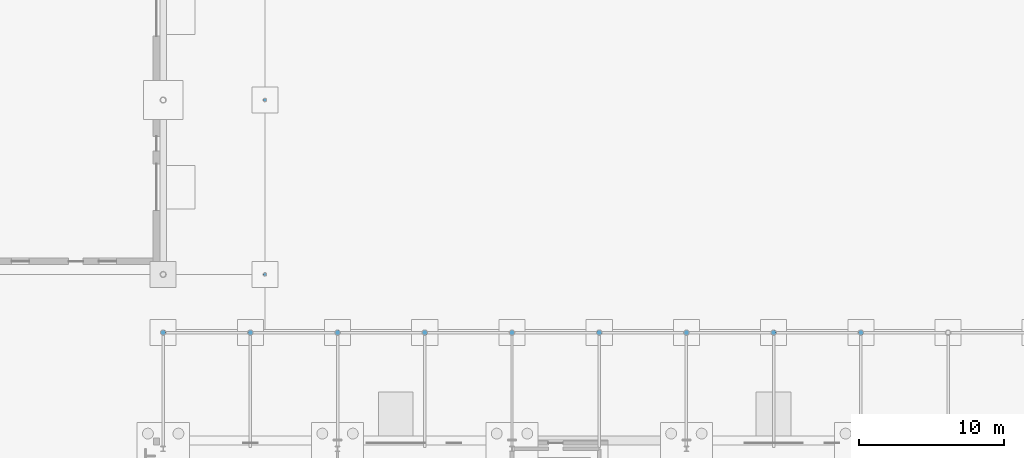
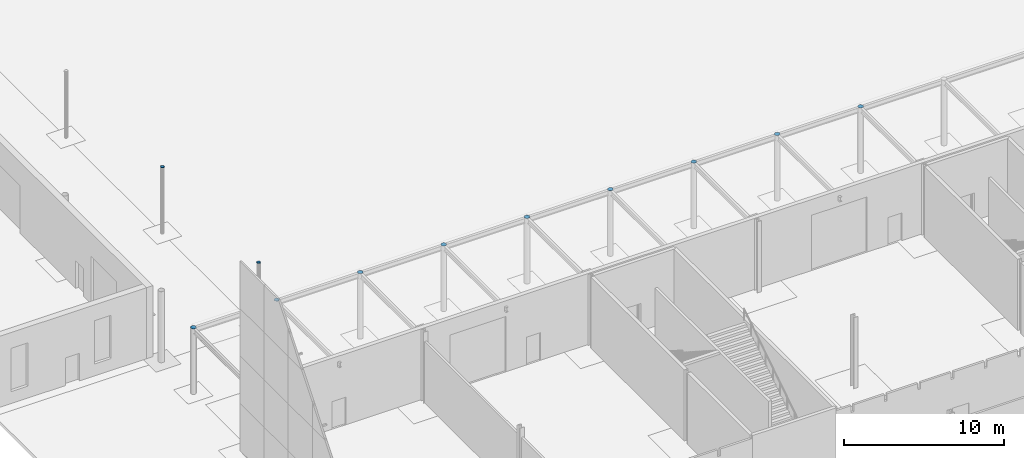
# One storey, part 103 of 132: 11 discrete accessories.
"""IFC4 building model written with IfcOpenShell, lengths in metres."""

from ifc_helpers import new_model, si_unit, direction, frame, origin, origin_2d, place, context, subcontext, project, spatial, circle, extrude, material, material_profile, profile_set, type_object, element, save


model = new_model("IFC4")

# Units and contexts
model_context = context("Model", 3, precision=1e-05, world=origin(), true_north=direction((0.0, 1.0)))
body_context = subcontext(model_context, "Body", "Model", "MODEL_VIEW")
ifc_project = project(units=[si_unit("LENGTHUNIT", "METRE"), si_unit("AREAUNIT", "SQUARE_METRE"), si_unit("VOLUMEUNIT", "CUBIC_METRE"), si_unit("PLANEANGLEUNIT", "RADIAN"), si_unit("MASSUNIT", "GRAM", prefix="KILO")], contexts=[model_context])

# Site, building, storey
site_placement = place(None, origin())
site = spatial("IfcSite", under=ifc_project, at=site_placement, CompositionType="ELEMENT")
building_placement = place(site_placement, origin())
building = spatial("IfcBuilding", under=site, at=building_placement, Name="Ravi Spectrum Wholesale Market", CompositionType="ELEMENT")
storey_placement = place(building_placement, origin())
storey = spatial("IfcBuildingStorey", under=building, at=storey_placement, Name="L00", CompositionType="ELEMENT", Elevation=0.0)

# Discrete accessories
ifc_material_1 = material(Name="Steel S355", Category="steel")
ifc_material_profile_1 = material_profile(ifc_material_1, circle(Radius=0.109619140625, at=origin_2d()))
ifc_profile_set_1 = profile_set([ifc_material_profile_1], Name="Steel S355")
discrete_accessory_type_1 = type_object("IfcDiscreteAccessoryType", Name="End plate CHS 219.1x8", PredefinedType="BRACKET", material=ifc_profile_set_1)
for number, where, z_axis, x_axis, name in (
    (1, (205.0, 78.0, 5.0400390625), (0.0, 0.0, 1.0), (1.0, 0.0, 0.0), "End plate"),
    (2, (205.0, 90.0, 5.0400390625), (0.0, 0.0, 1.0), (1.0, 0.0, 0.0), "End plate"),
):
    element("IfcDiscreteAccessory", number, at=place(storey_placement, frame(where, z_axis=z_axis, x_axis=x_axis)), inside=storey, type_object=discrete_accessory_type_1, Name=name, PredefinedType="BRACKET", context=body_context, shape_type="SweptSolid", body=[
        extrude(circle(Radius=0.109619140625, at=origin_2d()), origin(), (0.0, 0.0, 1.0), 0.011962890625),
    ])
ifc_material_2 = material(Name="Steel S355", Category="steel")
ifc_material_profile_2 = material_profile(ifc_material_2, circle(Radius=0.177734375, at=origin_2d()))
ifc_profile_set_2 = profile_set([ifc_material_profile_2], Name="Steel S355")
discrete_accessory_type_2 = type_object("IfcDiscreteAccessoryType", Name="End plate CHS 355.6x12.5", PredefinedType="BRACKET", material=ifc_profile_set_2)
for number, where, z_axis, x_axis, name in (
    (3, (198.0, 74.0, 4.97998046875), (0.0, 0.0, 1.0), (1.0, 0.0, 0.0), "End plate"),
    (4, (204.0, 74.0, 4.97998046875), (0.0, 0.0, 1.0), (1.0, 0.0, 0.0), "End plate"),
    (5, (210.0, 74.0, 4.97998046875), (0.0, 0.0, 1.0), (1.0, 0.0, 0.0), "End plate"),
    (6, (216.0, 74.0, 4.97998046875), (0.0, 0.0, 1.0), (1.0, 0.0, 0.0), "End plate"),
    (7, (222.0, 74.0, 4.97998046875), (0.0, 0.0, 1.0), (1.0, 0.0, 0.0), "End plate"),
    (8, (228.0, 74.0, 4.97998046875), (0.0, 0.0, 1.0), (1.0, 0.0, 0.0), "End plate"),
    (9, (234.0, 74.0, 4.97998046875), (0.0, 0.0, 1.0), (1.0, 0.0, 0.0), "End plate"),
    (10, (240.0, 74.0, 4.97998046875), (0.0, 0.0, 1.0), (1.0, 0.0, 0.0), "End plate"),
    (11, (246.0, 74.0, 4.97998046875), (0.0, 0.0, 1.0), (1.0, 0.0, 0.0), "End plate"),
):
    element("IfcDiscreteAccessory", number, at=place(storey_placement, frame(where, z_axis=z_axis, x_axis=x_axis)), inside=storey, type_object=discrete_accessory_type_2, Name=name, PredefinedType="BRACKET", context=body_context, shape_type="SweptSolid", body=[
        extrude(circle(Radius=0.177734375, at=origin_2d()), origin(), (0.0, 0.0, 1.0), 0.011962890625),
    ])

save(model, "model.ifc")
